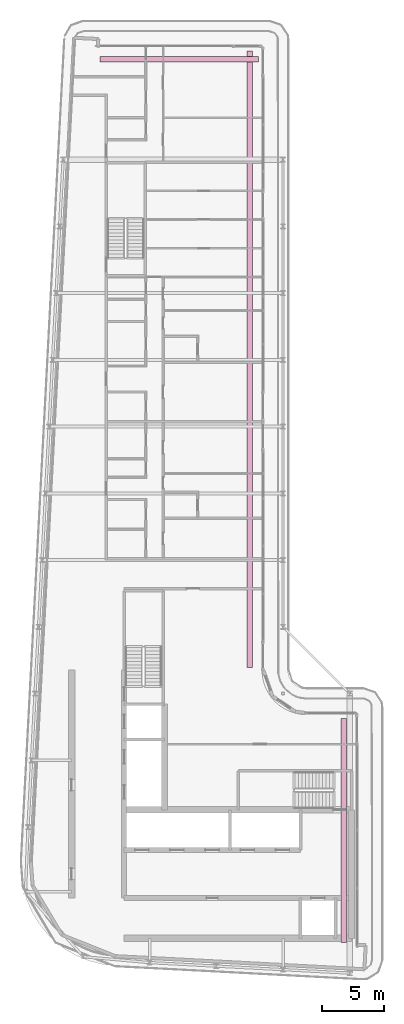
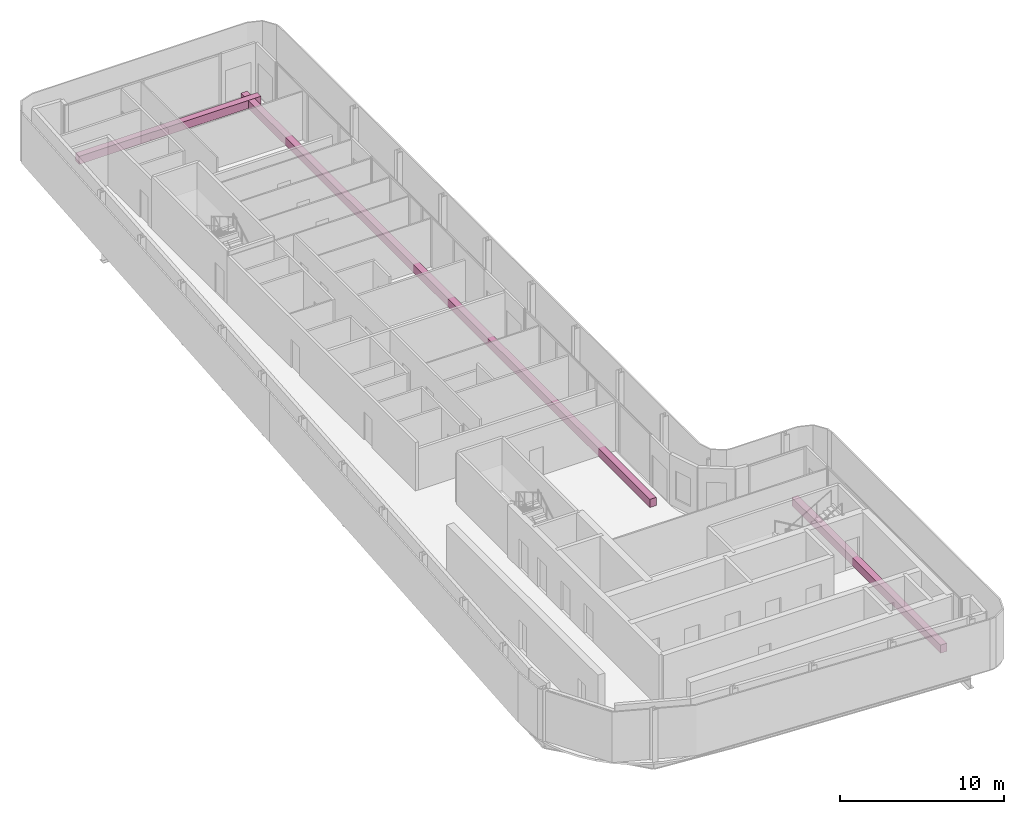
# One storey, part 18 of 18: 3 furniture elements.
"""IFC4 building model written with IfcOpenShell, lengths in metres."""

from ifc_helpers import new_model, si_unit, direction, frame, origin, origin_2d, place, context, subcontext, project, spatial, rectangle, extrude, material, type_object, element, save


model = new_model("IFC4")

# Units and contexts
model_context = context("Model", 3, precision=1e-05, world=origin(), true_north=direction((0.0, 1.0)))
body_context = subcontext(model_context, "Body", "Model", "MODEL_VIEW")
ifc_project = project(units=[si_unit("LENGTHUNIT", "METRE"), si_unit("AREAUNIT", "SQUARE_METRE"), si_unit("VOLUMEUNIT", "CUBIC_METRE"), si_unit("PLANEANGLEUNIT", "RADIAN"), si_unit("MASSUNIT", "GRAM", prefix="KILO")], contexts=[model_context])

# Site, building, storey
site_placement = place(None, origin())
site = spatial("IfcSite", under=ifc_project, at=site_placement, CompositionType="ELEMENT")
building_placement = place(site_placement, origin())
building = spatial("IfcBuilding", under=site, at=building_placement, Name="Kheshtan School and Residences Tower", CompositionType="ELEMENT")
storey_placement = place(building_placement, frame((0.0, 0.0, 373.39990234375)))
storey = spatial("IfcBuildingStorey", under=building, at=storey_placement, Name="L88", CompositionType="ELEMENT", Elevation=373.39990234375)

# Furniture
ifc_material = material(Name="Precast concrete C30/37 in terracotta finish", Category="masonry")
furniture_type = type_object("IfcFurnitureType", Name="Planter trough", AssemblyPlace="NOTDEFINED", PredefinedType="USERDEFINED", material=ifc_material)
furniture_1_placement = place(storey_placement, frame((39.196044921875, 96.925048828125, 0.0), z_axis=(0.0, 0.0, 1.0), x_axis=(1.0, 0.0, 0.0)))
element("IfcFurniture", 1, at=furniture_1_placement, inside=storey, type_object=furniture_type, Name="Planter L88", ObjectType="PLANTER", PredefinedType="USERDEFINED", context=body_context, shape_type="SweptSolid", body=[
    extrude(rectangle(XDim=12.80810546875, YDim=0.449951171875, at=origin_2d()), origin(), (0.0, 0.0, 1.0), 0.60009765625),
])
furniture_2_placement = place(storey_placement, frame((44.925048828125, 72.6650390625, 0.0), z_axis=(0.0, 0.0, 1.0), x_axis=(0.0, -1.0, 0.0)))
element("IfcFurniture", 2, at=furniture_2_placement, inside=storey, type_object=furniture_type, Name="Planter L88", ObjectType="PLANTER", PredefinedType="USERDEFINED", context=body_context, shape_type="SweptSolid", body=[
    extrude(rectangle(XDim=49.8701171875, YDim=0.449951171875, at=origin_2d()), origin(), (0.0, 0.0, 1.0), 0.60009765625),
])
furniture_3_placement = place(storey_placement, frame((52.52490234375, 34.528076171875, 0.0), z_axis=(0.0, 0.0, 1.0), x_axis=(0.0, -1.0, 0.0)))
element("IfcFurniture", 3, at=furniture_3_placement, inside=storey, type_object=furniture_type, Name="Planter L88", ObjectType="PLANTER", PredefinedType="USERDEFINED", context=body_context, shape_type="SweptSolid", body=[
    extrude(rectangle(XDim=18.14404296875, YDim=0.449951171875, at=origin_2d()), origin(), (0.0, 0.0, 1.0), 0.60009765625),
])

save(model, "model.ifc")
